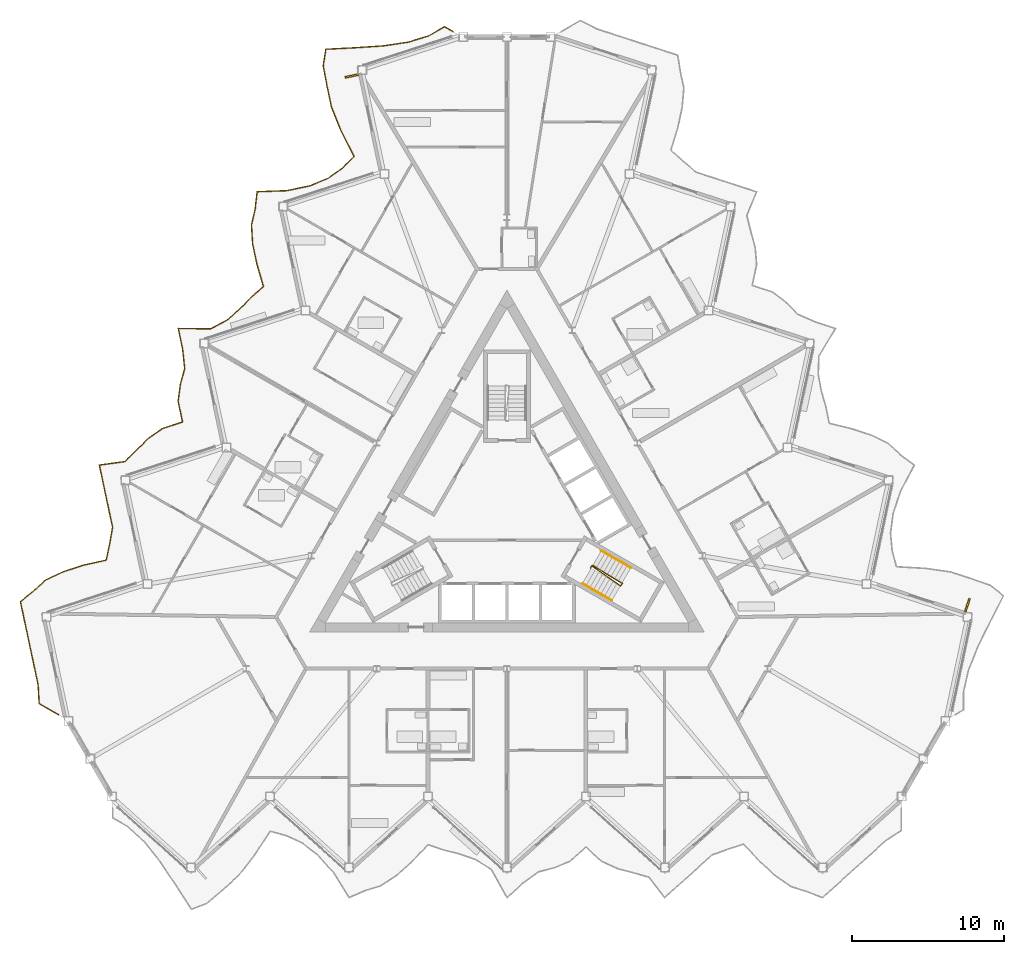
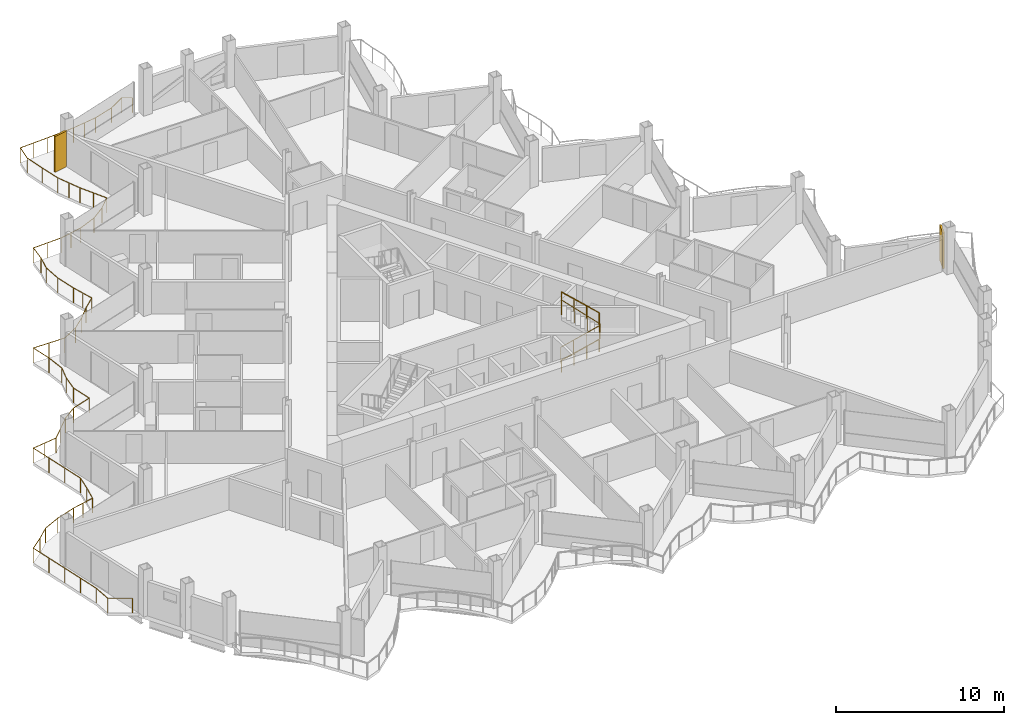
# One storey, part 23 of 26: 4 railings, 2 shading devices.
"""IFC4 building model written with IfcOpenShell, lengths in metres."""

from ifc_helpers import new_model, si_unit, direction, frame, origin, origin_2d, place, context, subcontext, project, spatial, rectangle, circle, extrude, material, layer, layer_set, type_object, element, save


model = new_model("IFC4")

# Units and contexts
model_context = context("Model", 3, precision=1e-05, world=origin(), true_north=direction((0.0, 1.0)))
body_context = subcontext(model_context, "Body", "Model", "MODEL_VIEW")
ifc_project = project(units=[si_unit("LENGTHUNIT", "METRE"), si_unit("AREAUNIT", "SQUARE_METRE"), si_unit("VOLUMEUNIT", "CUBIC_METRE"), si_unit("PLANEANGLEUNIT", "RADIAN"), si_unit("MASSUNIT", "GRAM", prefix="KILO")], contexts=[model_context])

# Site, building, storey
site_placement = place(None, origin())
site = spatial("IfcSite", under=ifc_project, at=site_placement, CompositionType="ELEMENT")
building_placement = place(site_placement, origin())
building = spatial("IfcBuilding", under=site, at=building_placement, Name="Cormorant Prow Tower", CompositionType="ELEMENT")
storey_placement = place(building_placement, frame((0.0, 0.0, 322.199951171875)))
storey = spatial("IfcBuildingStorey", under=building, at=storey_placement, Name="L71", CompositionType="ELEMENT", Elevation=322.199951171875)

# Railings
ifc_material_1 = material(Name="Aluminium 6063-T6", Category="aluminium")
railing_type_1 = type_object("IfcRailingType", Name="Balcony guard 1100", PredefinedType="GUARDRAIL", material=ifc_material_1)
railing_1_placement = place(storey_placement, frame((-3.552734375, 32.042724609375, 0.0)))
element("IfcRailing", 1, at=railing_1_placement, inside=storey, type_object=railing_type_1, Name="Balcony guard WNW", PredefinedType="GUARDRAIL", context=body_context, shape_type="SweptSolid", body=[
    extrude(circle(Radius=0.02392578125, at=origin_2d()), frame((0.0, 0.0, 1.076171875), z_axis=(-0.865942655036, 0.500143297656, 0.0), x_axis=(-0.500143297656, -0.865942655036, 0.0)), (0.0, 0.0, 1.0), 0.635986328125),
    extrude(circle(Radius=0.02392578125, at=origin_2d()), frame((-0.55078125, 0.318115234375, 1.076171875), z_axis=(-0.867592362836, -0.497276072166, 0.0), x_axis=(0.497276072166, -0.867592362836, 0.0)), (0.0, 0.0, 1.0), 1.201904296875),
    extrude(circle(Radius=0.02392578125, at=origin_2d()), frame((-1.593505859375, -0.279541015625, 1.076171875), z_axis=(-0.955146594273, -0.296133387932, 0.0), x_axis=(0.296133387932, -0.955146594273, 0.0)), (0.0, 0.0, 1.0), 1.41552734375),
    extrude(circle(Radius=0.02392578125, at=origin_2d()), frame((-2.945556640625, -0.69873046875, 1.076171875), z_axis=(-0.989266853601, -0.146120129918, 0.0), x_axis=(0.146120129918, -0.989266853601, 0.0)), (0.0, 0.0, 1.0), 1.672607421875),
    extrude(circle(Radius=0.02392578125, at=origin_2d()), frame((-4.60009765625, -0.943115234375, 1.076171875), z_axis=(-0.997771824229, -0.066718713827, 0.0), x_axis=(0.066718713827, -0.997771824229, 0.0)), (0.0, 0.0, 1.0), 1.8662109375),
    extrude(circle(Radius=0.02392578125, at=origin_2d()), frame((-6.462158203125, -1.067626953125, 1.076171875), z_axis=(-0.998756785934, -0.049848596285, 0.0), x_axis=(0.049848596285, -0.998756785934, 0.0)), (0.0, 0.0, 1.0), 1.9150390625),
    extrude(circle(Radius=0.02392578125, at=origin_2d()), frame((-8.374755859375, -1.1630859375, 1.076171875), z_axis=(-0.154330068831, -0.988019346903, 0.0), x_axis=(0.988019346903, -0.154330068831, 0.0)), (0.0, 0.0, 1.0), 1.11376953125),
    extrude(circle(Radius=0.02392578125, at=origin_2d()), frame((-8.546630859375, -2.263427734375, 1.076171875), z_axis=(0.185482522834, -0.982647563332, 0.0), x_axis=(0.982647563332, 0.185482522834, 0.0)), (0.0, 0.0, 1.0), 1.3701171875),
    extrude(circle(Radius=0.02392578125, at=origin_2d()), frame((-8.29248046875, -3.60986328125, 1.076171875), z_axis=(0.207954815096, -0.978138433392, 0.0), x_axis=(0.978138433392, 0.207954815096, 0.0)), (0.0, 0.0, 1.0), 1.398193359375),
    extrude(circle(Radius=0.02392578125, at=origin_2d()), frame((-8.001708984375, -4.9775390625, 1.076171875), z_axis=(0.372940159502, -0.927855396832, 0.0), x_axis=(0.927855396832, 0.372940159502, 0.0)), (0.0, 0.0, 1.0), 1.683837890625),
    extrude(circle(Radius=0.02392578125, at=origin_2d()), frame((-7.373779296875, -6.539794921875, 1.076171875), z_axis=(0.450609247679, -0.892721292401, 0.0), x_axis=(0.892721292401, 0.450609247679, 0.0)), (0.0, 0.0, 1.0), 1.896240234375),
    extrude(circle(Radius=0.02392578125, at=origin_2d()), frame((-6.519287109375, -8.232666015625, 1.076171875), z_axis=(-0.709370954511, -0.704835334597, 0.0), x_axis=(0.704835334597, -0.709370954511, 0.0)), (0.0, 0.0, 1.0), 1.07666015625),
    extrude(circle(Radius=0.02392578125, at=origin_2d()), frame((-7.282958984375, -8.991455078125, 1.076171875), z_axis=(-0.812908325419, -0.582391667579, 0.0), x_axis=(0.582391667579, -0.812908325419, 0.0)), (0.0, 0.0, 1.0), 1.140625),
    extrude(circle(Radius=0.02392578125, at=origin_2d()), frame((-8.210205078125, -9.65576171875, 1.076171875), z_axis=(-0.923841835791, -0.382774427624, 0.0), x_axis=(0.382774427624, -0.923841835791, 0.0)), (0.0, 0.0, 1.0), 1.309326171875),
    extrude(circle(Radius=0.02392578125, at=origin_2d()), frame((-9.419921875, -10.156982421875, 1.076171875), z_axis=(-0.978977815061, -0.20396675616, 0.0), x_axis=(0.20396675616, -0.978977815061, 0.0)), (0.0, 0.0, 1.0), 1.5595703125),
    extrude(circle(Radius=0.02392578125, at=origin_2d()), frame((-10.94677734375, -10.47509765625, 1.076171875), z_axis=(-0.999311062654, -0.037113340704, 0.0), x_axis=(0.037113340704, -0.999311062654, 0.0)), (0.0, 0.0, 1.0), 1.953857421875),
    extrude(circle(Radius=0.02392578125, at=origin_2d()), frame((-12.899169921875, -10.547607421875, 1.076171875), z_axis=(-0.110644159424, -0.993860085719, 0.0), x_axis=(0.993860085719, -0.110644159424, 0.0)), (0.0, 0.0, 1.0), 1.13427734375),
    extrude(circle(Radius=0.02392578125, at=origin_2d()), frame((-13.024658203125, -11.6748046875, 1.076171875), z_axis=(-0.225893573329, -0.974151986873, 0.0), x_axis=(0.974151986873, -0.225893573329, 0.0)), (0.0, 0.0, 1.0), 1.086181640625),
    extrude(circle(Radius=0.02392578125, at=origin_2d()), frame((-13.27001953125, -12.73291015625, 1.076171875), z_axis=(0.059262671878, -0.998242423323, 0.0), x_axis=(0.998242423323, 0.059262671878, 0.0)), (0.0, 0.0, 1.0), 1.244140625),
    extrude(circle(Radius=0.02392578125, at=origin_2d()), frame((-13.1962890625, -13.974853515625, 1.076171875), z_axis=(0.20778775162, -0.978173936617, 0.0), x_axis=(0.978173936617, 0.20778775162, 0.0)), (0.0, 0.0, 1.0), 1.398193359375),
    extrude(circle(Radius=0.02392578125, at=origin_2d()), frame((-12.90576171875, -15.342529296875, 1.076171875), z_axis=(0.281102933169, -0.959677623457, 0.0), x_axis=(0.959677623457, 0.281102933169, 0.0)), (0.0, 0.0, 1.0), 1.504150390625),
    extrude(circle(Radius=0.02392578125, at=origin_2d()), frame((-12.48291015625, -16.7861328125, 1.076171875), z_axis=(-0.750032788216, -0.661400647566, 0.0), x_axis=(0.661400647566, -0.750032788216, 0.0)), (0.0, 0.0, 1.0), 1.09619140625),
    extrude(circle(Radius=0.02392578125, at=origin_2d()), frame((-13.30517578125, -17.51123046875, 1.076171875), z_axis=(-0.693869586503, -0.72010068527, 0.0), x_axis=(0.72010068527, -0.693869586503, 0.0)), (0.0, 0.0, 1.0), 1.0703125),
    extrude(circle(Radius=0.02392578125, at=origin_2d()), frame((-14.0478515625, -18.281982421875, 1.076171875), z_axis=(-0.759115778232, -0.650955632312, 0.0), x_axis=(0.650955632312, -0.759115778232, 0.0)), (0.0, 0.0, 1.0), 1.1015625),
    extrude(circle(Radius=0.02392578125, at=origin_2d()), frame((-14.884033203125, -18.9990234375, 1.076171875), z_axis=(-0.880156171163, -0.474684225948, 0.0), x_axis=(0.474684225948, -0.880156171163, 0.0)), (0.0, 0.0, 1.0), 1.220458984375),
    extrude(circle(Radius=0.02392578125, at=origin_2d()), frame((-15.958251953125, -19.578369140625, 1.076171875), z_axis=(-0.999877393438, 0.015658802344, 0.0), x_axis=(-0.015658802344, -0.999877393438, 0.0)), (0.0, 0.0, 1.0), 2.135986328125),
    extrude(circle(Radius=0.02392578125, at=origin_2d()), frame((-18.093994140625, -19.544921875, 1.076171875), z_axis=(0.207990337228, -0.978130880619, 0.0), x_axis=(0.978130880619, 0.207990337228, 0.0)), (0.0, 0.0, 1.0), 1.39794921875),
    extrude(circle(Radius=0.02392578125, at=origin_2d()), frame((-17.80322265625, -20.912353515625, 1.076171875), z_axis=(0.107350103954, -0.994221280793, 0.0), x_axis=(0.994221280793, 0.107350103954, 0.0)), (0.0, 0.0, 1.0), 1.287109375),
    extrude(circle(Radius=0.02392578125, at=origin_2d()), frame((-17.6650390625, -22.192138671875, 1.076171875), z_axis=(-0.267620389607, -0.963524429927, 0.0), x_axis=(0.963524429927, -0.267620389607, 0.0)), (0.0, 0.0, 1.0), 1.07275390625),
    extrude(circle(Radius=0.02392578125, at=origin_2d()), frame((-17.9521484375, -23.225830078125, 1.076171875), z_axis=(-0.132078343747, -0.991239280453, 0.0), x_axis=(0.991239280453, -0.132078343747, 0.0)), (0.0, 0.0, 1.0), 1.123779296875),
    extrude(circle(Radius=0.02392578125, at=origin_2d()), frame((-18.1005859375, -24.33984375, 1.076171875), z_axis=(0.207954815096, -0.978138433392, 0.0), x_axis=(0.978138433392, 0.207954815096, 0.0)), (0.0, 0.0, 1.0), 1.398193359375),
    extrude(circle(Radius=0.02392578125, at=origin_2d()), frame((-17.809814453125, -25.70751953125, 1.076171875), z_axis=(-0.95108282544, -0.308936011422, 0.0), x_axis=(0.308936011422, -0.95108282544, 0.0)), (0.0, 0.0, 1.0), 1.39794921875),
    extrude(circle(Radius=0.02392578125, at=origin_2d()), frame((-19.139404296875, -26.139404296875, 1.076171875), z_axis=(-0.817192442339, -0.576364912347, 0.0), x_axis=(0.576364912347, -0.817192442339, 0.0)), (0.0, 0.0, 1.0), 1.14453125),
    extrude(circle(Radius=0.02392578125, at=origin_2d()), frame((-20.07470703125, -26.799072265625, 1.076171875), z_axis=(-0.704602966068, -0.7096017617, 0.0), x_axis=(0.7096017617, -0.704602966068, 0.0)), (0.0, 0.0, 1.0), 1.074462890625),
    extrude(circle(Radius=0.02392578125, at=origin_2d()), frame((-20.831787109375, -27.5615234375, 1.076171875), z_axis=(-0.716762582334, -0.697317288302, 0.0), x_axis=(0.697317288302, -0.716762582334, 0.0)), (0.0, 0.0, 1.0), 1.079833984375),
    extrude(circle(Radius=0.02392578125, at=origin_2d()), frame((-21.605712890625, -28.314453125, 1.076171875), z_axis=(-0.990944412172, -0.134272752208, 0.0), x_axis=(0.134272752208, -0.990944412172, 0.0)), (0.0, 0.0, 1.0), 1.6982421875),
    extrude(circle(Radius=0.02392578125, at=origin_2d()), frame((-23.28857421875, -28.54248046875, 1.076171875), z_axis=(0.207823247792, -0.9781663957, 0.0), x_axis=(0.9781663957, 0.207823247792, 0.0)), (0.0, 0.0, 1.0), 1.39794921875),
    extrude(circle(Radius=0.02392578125, at=origin_2d()), frame((-22.998046875, -29.909912109375, 1.076171875), z_axis=(0.207990337228, -0.978130880619, 0.0), x_axis=(0.978130880619, 0.207990337228, 0.0)), (0.0, 0.0, 1.0), 1.39794921875),
    extrude(circle(Radius=0.02392578125, at=origin_2d()), frame((-22.707275390625, -31.27734375, 1.076171875), z_axis=(0.20778775162, -0.978173936617, 0.0), x_axis=(0.978173936617, 0.20778775162, 0.0)), (0.0, 0.0, 1.0), 1.398193359375),
    extrude(circle(Radius=0.02392578125, at=origin_2d()), frame((-22.416748046875, -32.64501953125, 1.076171875), z_axis=(-0.171695073969, -0.985150141641, 0.0), x_axis=(0.985150141641, -0.171695073969, 0.0)), (0.0, 0.0, 1.0), 1.106201171875),
    extrude(circle(Radius=0.02392578125, at=origin_2d()), frame((-22.606689453125, -33.73486328125, 1.076171875), z_axis=(-0.210720517244, -0.977546348575, 0.0), x_axis=(0.977546348575, -0.210720517244, 0.0)), (0.0, 0.0, 1.0), 1.09130859375),
    extrude(circle(Radius=0.02392578125, at=origin_2d()), frame((-22.836669921875, -34.8017578125, 1.076171875), z_axis=(-0.975845165499, -0.218463298913, 0.0), x_axis=(0.218463298913, -0.975845165499, 0.0)), (0.0, 0.0, 1.0), 1.534423828125),
    extrude(circle(Radius=0.02392578125, at=origin_2d()), frame((-24.333984375, -35.136962890625, 1.076171875), z_axis=(-0.95108282544, -0.308936011422, 0.0), x_axis=(0.308936011422, -0.95108282544, 0.0)), (0.0, 0.0, 1.0), 1.39794921875),
    extrude(circle(Radius=0.02392578125, at=origin_2d()), frame((-25.66357421875, -35.56884765625, 1.076171875), z_axis=(-0.906546522167, -0.422105914608, 0.0), x_axis=(0.422105914608, -0.906546522167, 0.0)), (0.0, 0.0, 1.0), 1.26904296875),
    extrude(circle(Radius=0.02392578125, at=origin_2d()), frame((-26.81396484375, -36.1044921875, 1.076171875), z_axis=(-0.738732761522, -0.673998447368, 0.0), x_axis=(0.673998447368, -0.738732761522, 0.0)), (0.0, 0.0, 1.0), 1.08984375),
    extrude(circle(Radius=0.02392578125, at=origin_2d()), frame((-27.619140625, -36.839111328125, 1.076171875), z_axis=(-0.776677419961, -0.629898551612, 0.0), x_axis=(0.629898551612, -0.776677419961, 0.0)), (0.0, 0.0, 1.0), 1.11279296875),
    extrude(circle(Radius=0.02392578125, at=origin_2d()), frame((-28.4833984375, -37.5400390625, 1.076171875), z_axis=(0.207823247792, -0.9781663957, 0.0), x_axis=(0.9781663957, 0.207823247792, 0.0)), (0.0, 0.0, 1.0), 1.39794921875),
    extrude(circle(Radius=0.02392578125, at=origin_2d()), frame((-28.19287109375, -38.907470703125, 1.076171875), z_axis=(0.207990337228, -0.978130880619, 0.0), x_axis=(0.978130880619, 0.207990337228, 0.0)), (0.0, 0.0, 1.0), 1.39794921875),
    extrude(circle(Radius=0.02392578125, at=origin_2d()), frame((-27.902099609375, -40.27490234375, 1.076171875), z_axis=(0.207990337228, -0.978130880619, 0.0), x_axis=(0.978130880619, 0.207990337228, 0.0)), (0.0, 0.0, 1.0), 1.39794921875),
    extrude(circle(Radius=0.02392578125, at=origin_2d()), frame((-27.611328125, -41.642333984375, 1.076171875), z_axis=(0.207954815096, -0.978138433392, 0.0), x_axis=(0.978138433392, 0.207954815096, 0.0)), (0.0, 0.0, 1.0), 1.398193359375),
    extrude(circle(Radius=0.02392578125, at=origin_2d()), frame((-27.320556640625, -43.010009765625, 1.076171875), z_axis=(0.058307709242, -0.99829865824, 0.0), x_axis=(0.99829865824, 0.058307709242, 0.0)), (0.0, 0.0, 1.0), 1.24365234375),
    extrude(circle(Radius=0.02392578125, at=origin_2d()), frame((-27.248046875, -44.25146484375, 1.076171875), z_axis=(0.866050237424, -0.499956984408, 0.0), x_axis=(0.499956984408, 0.866050237424, 0.0)), (0.0, 0.0, 1.0), 1.471923828125),
    extrude(circle(Radius=0.02099609375, at=origin_2d()), origin(), (0.0, 0.0, 1.0), 1.052001953125),
    extrude(circle(Radius=0.02099609375, at=origin_2d()), frame((-0.55078125, 0.318115234375, 0.0)), (0.0, 0.0, 1.0), 1.052001953125),
    extrude(circle(Radius=0.02099609375, at=origin_2d()), frame((-1.593505859375, -0.279541015625, 0.0)), (0.0, 0.0, 1.0), 1.052001953125),
    extrude(circle(Radius=0.02099609375, at=origin_2d()), frame((-2.945556640625, -0.69873046875, 0.0)), (0.0, 0.0, 1.0), 1.052001953125),
    extrude(circle(Radius=0.02099609375, at=origin_2d()), frame((-3.77294921875, -0.82080078125, 0.0)), (0.0, 0.0, 1.0), 1.052001953125),
    extrude(circle(Radius=0.02099609375, at=origin_2d()), frame((-4.60009765625, -0.943115234375, 0.0)), (0.0, 0.0, 1.0), 1.052001953125),
    extrude(circle(Radius=0.02099609375, at=origin_2d()), frame((-5.53125, -1.00537109375, 0.0)), (0.0, 0.0, 1.0), 1.052001953125),
    extrude(circle(Radius=0.02099609375, at=origin_2d()), frame((-6.462158203125, -1.067626953125, 0.0)), (0.0, 0.0, 1.0), 1.052001953125),
    extrude(circle(Radius=0.02099609375, at=origin_2d()), frame((-7.41845703125, -1.115234375, 0.0)), (0.0, 0.0, 1.0), 1.052001953125),
    extrude(circle(Radius=0.02099609375, at=origin_2d()), frame((-8.374755859375, -1.1630859375, 0.0)), (0.0, 0.0, 1.0), 1.052001953125),
    extrude(circle(Radius=0.02099609375, at=origin_2d()), frame((-8.546630859375, -2.263427734375, 0.0)), (0.0, 0.0, 1.0), 1.052001953125),
    extrude(circle(Radius=0.02099609375, at=origin_2d()), frame((-8.29248046875, -3.60986328125, 0.0)), (0.0, 0.0, 1.0), 1.052001953125),
    extrude(circle(Radius=0.02099609375, at=origin_2d()), frame((-8.001708984375, -4.9775390625, 0.0)), (0.0, 0.0, 1.0), 1.052001953125),
    extrude(circle(Radius=0.02099609375, at=origin_2d()), frame((-7.687744140625, -5.7587890625, 0.0)), (0.0, 0.0, 1.0), 1.052001953125),
    extrude(circle(Radius=0.02099609375, at=origin_2d()), frame((-7.373779296875, -6.539794921875, 0.0)), (0.0, 0.0, 1.0), 1.052001953125),
    extrude(circle(Radius=0.02099609375, at=origin_2d()), frame((-6.946533203125, -7.38623046875, 0.0)), (0.0, 0.0, 1.0), 1.052001953125),
    extrude(circle(Radius=0.02099609375, at=origin_2d()), frame((-6.519287109375, -8.232666015625, 0.0)), (0.0, 0.0, 1.0), 1.052001953125),
    extrude(circle(Radius=0.02099609375, at=origin_2d()), frame((-7.282958984375, -8.991455078125, 0.0)), (0.0, 0.0, 1.0), 1.052001953125),
    extrude(circle(Radius=0.02099609375, at=origin_2d()), frame((-8.210205078125, -9.65576171875, 0.0)), (0.0, 0.0, 1.0), 1.052001953125),
    extrude(circle(Radius=0.02099609375, at=origin_2d()), frame((-9.419921875, -10.156982421875, 0.0)), (0.0, 0.0, 1.0), 1.052001953125),
    extrude(circle(Radius=0.02099609375, at=origin_2d()), frame((-10.183349609375, -10.31591796875, 0.0)), (0.0, 0.0, 1.0), 1.052001953125),
    extrude(circle(Radius=0.02099609375, at=origin_2d()), frame((-10.94677734375, -10.47509765625, 0.0)), (0.0, 0.0, 1.0), 1.052001953125),
    extrude(circle(Radius=0.02099609375, at=origin_2d()), frame((-11.9228515625, -10.51123046875, 0.0)), (0.0, 0.0, 1.0), 1.052001953125),
    extrude(circle(Radius=0.02099609375, at=origin_2d()), frame((-12.899169921875, -10.547607421875, 0.0)), (0.0, 0.0, 1.0), 1.052001953125),
    extrude(circle(Radius=0.02099609375, at=origin_2d()), frame((-13.024658203125, -11.6748046875, 0.0)), (0.0, 0.0, 1.0), 1.052001953125),
    extrude(circle(Radius=0.02099609375, at=origin_2d()), frame((-13.27001953125, -12.73291015625, 0.0)), (0.0, 0.0, 1.0), 1.052001953125),
    extrude(circle(Radius=0.02099609375, at=origin_2d()), frame((-13.1962890625, -13.974853515625, 0.0)), (0.0, 0.0, 1.0), 1.052001953125),
    extrude(circle(Radius=0.02099609375, at=origin_2d()), frame((-12.90576171875, -15.342529296875, 0.0)), (0.0, 0.0, 1.0), 1.052001953125),
    extrude(circle(Radius=0.02099609375, at=origin_2d()), frame((-12.6943359375, -16.064453125, 0.0)), (0.0, 0.0, 1.0), 1.052001953125),
    extrude(circle(Radius=0.02099609375, at=origin_2d()), frame((-12.48291015625, -16.7861328125, 0.0)), (0.0, 0.0, 1.0), 1.052001953125),
    extrude(circle(Radius=0.02099609375, at=origin_2d()), frame((-13.30517578125, -17.51123046875, 0.0)), (0.0, 0.0, 1.0), 1.052001953125),
    extrude(circle(Radius=0.02099609375, at=origin_2d()), frame((-14.0478515625, -18.281982421875, 0.0)), (0.0, 0.0, 1.0), 1.052001953125),
    extrude(circle(Radius=0.02099609375, at=origin_2d()), frame((-14.884033203125, -18.9990234375, 0.0)), (0.0, 0.0, 1.0), 1.052001953125),
    extrude(circle(Radius=0.02099609375, at=origin_2d()), frame((-15.958251953125, -19.578369140625, 0.0)), (0.0, 0.0, 1.0), 1.052001953125),
    extrude(circle(Radius=0.02099609375, at=origin_2d()), frame((-17.026123046875, -19.5615234375, 0.0)), (0.0, 0.0, 1.0), 1.052001953125),
    extrude(circle(Radius=0.02099609375, at=origin_2d()), frame((-18.093994140625, -19.544921875, 0.0)), (0.0, 0.0, 1.0), 1.052001953125),
    extrude(circle(Radius=0.02099609375, at=origin_2d()), frame((-17.80322265625, -20.912353515625, 0.0)), (0.0, 0.0, 1.0), 1.052001953125),
    extrude(circle(Radius=0.02099609375, at=origin_2d()), frame((-17.6650390625, -22.192138671875, 0.0)), (0.0, 0.0, 1.0), 1.052001953125),
    extrude(circle(Radius=0.02099609375, at=origin_2d()), frame((-17.9521484375, -23.225830078125, 0.0)), (0.0, 0.0, 1.0), 1.052001953125),
    extrude(circle(Radius=0.02099609375, at=origin_2d()), frame((-18.1005859375, -24.33984375, 0.0)), (0.0, 0.0, 1.0), 1.052001953125),
    extrude(circle(Radius=0.02099609375, at=origin_2d()), frame((-17.809814453125, -25.70751953125, 0.0)), (0.0, 0.0, 1.0), 1.052001953125),
    extrude(circle(Radius=0.02099609375, at=origin_2d()), frame((-19.139404296875, -26.139404296875, 0.0)), (0.0, 0.0, 1.0), 1.052001953125),
    extrude(circle(Radius=0.02099609375, at=origin_2d()), frame((-20.07470703125, -26.799072265625, 0.0)), (0.0, 0.0, 1.0), 1.052001953125),
    extrude(circle(Radius=0.02099609375, at=origin_2d()), frame((-20.831787109375, -27.5615234375, 0.0)), (0.0, 0.0, 1.0), 1.052001953125),
    extrude(circle(Radius=0.02099609375, at=origin_2d()), frame((-21.605712890625, -28.314453125, 0.0)), (0.0, 0.0, 1.0), 1.052001953125),
    extrude(circle(Radius=0.02099609375, at=origin_2d()), frame((-22.447265625, -28.428466796875, 0.0)), (0.0, 0.0, 1.0), 1.052001953125),
    extrude(circle(Radius=0.02099609375, at=origin_2d()), frame((-23.28857421875, -28.54248046875, 0.0)), (0.0, 0.0, 1.0), 1.052001953125),
    extrude(circle(Radius=0.02099609375, at=origin_2d()), frame((-22.998046875, -29.909912109375, 0.0)), (0.0, 0.0, 1.0), 1.052001953125),
    extrude(circle(Radius=0.02099609375, at=origin_2d()), frame((-22.707275390625, -31.27734375, 0.0)), (0.0, 0.0, 1.0), 1.052001953125),
    extrude(circle(Radius=0.02099609375, at=origin_2d()), frame((-22.416748046875, -32.64501953125, 0.0)), (0.0, 0.0, 1.0), 1.052001953125),
    extrude(circle(Radius=0.02099609375, at=origin_2d()), frame((-22.606689453125, -33.73486328125, 0.0)), (0.0, 0.0, 1.0), 1.052001953125),
    extrude(circle(Radius=0.02099609375, at=origin_2d()), frame((-22.836669921875, -34.8017578125, 0.0)), (0.0, 0.0, 1.0), 1.052001953125),
    extrude(circle(Radius=0.02099609375, at=origin_2d()), frame((-23.58544921875, -34.96923828125, 0.0)), (0.0, 0.0, 1.0), 1.052001953125),
    extrude(circle(Radius=0.02099609375, at=origin_2d()), frame((-24.333984375, -35.136962890625, 0.0)), (0.0, 0.0, 1.0), 1.052001953125),
    extrude(circle(Radius=0.02099609375, at=origin_2d()), frame((-25.66357421875, -35.56884765625, 0.0)), (0.0, 0.0, 1.0), 1.052001953125),
    extrude(circle(Radius=0.02099609375, at=origin_2d()), frame((-26.81396484375, -36.1044921875, 0.0)), (0.0, 0.0, 1.0), 1.052001953125),
    extrude(circle(Radius=0.02099609375, at=origin_2d()), frame((-27.619140625, -36.839111328125, 0.0)), (0.0, 0.0, 1.0), 1.052001953125),
    extrude(circle(Radius=0.02099609375, at=origin_2d()), frame((-28.4833984375, -37.5400390625, 0.0)), (0.0, 0.0, 1.0), 1.052001953125),
    extrude(circle(Radius=0.02099609375, at=origin_2d()), frame((-28.19287109375, -38.907470703125, 0.0)), (0.0, 0.0, 1.0), 1.052001953125),
    extrude(circle(Radius=0.02099609375, at=origin_2d()), frame((-27.902099609375, -40.27490234375, 0.0)), (0.0, 0.0, 1.0), 1.052001953125),
    extrude(circle(Radius=0.02099609375, at=origin_2d()), frame((-27.611328125, -41.642333984375, 0.0)), (0.0, 0.0, 1.0), 1.052001953125),
    extrude(circle(Radius=0.02099609375, at=origin_2d()), frame((-27.320556640625, -43.010009765625, 0.0)), (0.0, 0.0, 1.0), 1.052001953125),
    extrude(circle(Radius=0.02099609375, at=origin_2d()), frame((-27.248046875, -44.25146484375, 0.0)), (0.0, 0.0, 1.0), 1.052001953125),
    extrude(circle(Radius=0.02099609375, at=origin_2d()), frame((-25.973388671875, -44.9873046875, 0.0)), (0.0, 0.0, 1.0), 1.052001953125),
])
ifc_material_2 = material(Name="Stainless steel", Category="steel")
railing_type_2 = type_object("IfcRailingType", Name="Stair guard 1100", PredefinedType="GUARDRAIL", material=ifc_material_2)
railing_2_placement = place(storey_placement, frame((5.510009765625, -3.267822265625, 0.0)))
element("IfcRailing", 2, at=railing_2_placement, inside=storey, type_object=railing_type_2, Name="L71 ST2 stair guard 1", PredefinedType="GUARDRAIL", context=body_context, shape_type="SweptSolid", body=[
    extrude(circle(Radius=0.02392578125, at=origin_2d()), frame((0.0, 0.0, 1.076171875), z_axis=(0.501036270542, 0.865426285481, 0.0), x_axis=(-0.865426285481, 0.501036270542, 0.0)), (0.0, 0.0, 1.0), 0.150146484375),
    extrude(circle(Radius=0.02392578125, at=origin_2d()), frame((0.0751953125, 0.1298828125, 1.076171875), z_axis=(0.658670593711, -0.461060875852, 0.594622500196), x_axis=(0.573455215813, 0.819236910458, 0.0)), (0.0, 0.0, 1.0), 2.85888671875),
    extrude(circle(Radius=0.02392578125, at=origin_2d()), frame((1.958251953125, -1.188232421875, 2.77587890625), z_axis=(0.695164929852, 0.718850276695, 0.0), x_axis=(-0.718850276695, 0.695164929852, 0.0)), (0.0, 0.0, 1.0), 0.2060546875),
    extrude(circle(Radius=0.02392578125, at=origin_2d()), frame((2.1015625, -1.0400390625, 2.77587890625), z_axis=(-0.686480346808, 0.416544052851, 0.596016598326), x_axis=(-0.518752825935, -0.854924268918, 0.0)), (0.0, 0.0, 1.0), 2.8525390625),
    extrude(circle(Radius=0.02099609375, at=origin_2d()), origin(), (0.0, 0.0, 1.0), 1.052001953125),
    extrude(circle(Radius=0.02099609375, at=origin_2d()), frame((0.0751953125, 0.1298828125, 0.0)), (0.0, 0.0, 1.0), 1.052001953125),
    extrude(circle(Radius=0.02099609375, at=origin_2d()), frame((0.702880859375, -0.3095703125, 0.566650390625)), (0.0, 0.0, 1.0), 1.052001953125),
    extrude(circle(Radius=0.02099609375, at=origin_2d()), frame((1.33056640625, -0.748779296875, 1.13330078125)), (0.0, 0.0, 1.0), 1.052001953125),
    extrude(circle(Radius=0.02099609375, at=origin_2d()), frame((1.958251953125, -1.188232421875, 1.699951171875)), (0.0, 0.0, 1.0), 1.052001953125),
    extrude(circle(Radius=0.02099609375, at=origin_2d()), frame((2.1015625, -1.0400390625, 1.699951171875)), (0.0, 0.0, 1.0), 1.052001953125),
    extrude(circle(Radius=0.02099609375, at=origin_2d()), frame((1.44873046875, -0.64404296875, 2.2666015625)), (0.0, 0.0, 1.0), 1.052001953125),
    extrude(circle(Radius=0.02099609375, at=origin_2d()), frame((0.796142578125, -0.247802734375, 2.83349609375)), (0.0, 0.0, 1.0), 1.052001953125),
    extrude(circle(Radius=0.02099609375, at=origin_2d()), frame((0.143310546875, 0.148193359375, 3.400146484375)), (0.0, 0.0, 1.0), 1.052001953125),
])
ifc_material_3 = material(Name="Stainless steel", Category="steel")
railing_type_3 = type_object("IfcRailingType", Name="Stair handrail 900", PredefinedType="HANDRAIL", material=ifc_material_3)
railing_3_placement = place(storey_placement, frame((4.968994140625, -4.30517578125, 0.18896484375)))
element("IfcRailing", 3, at=railing_3_placement, inside=storey, type_object=railing_type_3, Name="L71 ST2 stair handrail 1", PredefinedType="HANDRAIL", context=body_context, shape_type="SweptSolid", body=[
    extrude(circle(Radius=0.02392578125, at=origin_2d()), frame((0.0, 0.0, 0.8759765625), z_axis=(0.71790592183, -0.414569209485, 0.559234707389), x_axis=(0.500077830873, 0.865980463445, 0.0)), (0.0, 0.0, 1.0), 2.701904296875),
    extrude(circle(Radius=0.02099609375, at=origin_2d()), origin(), (0.0, 0.0, 1.0), 0.851806640625),
    extrude(circle(Radius=0.02099609375, at=origin_2d()), frame((0.646484375, -0.373291015625, 0.503662109375)), (0.0, 0.0, 1.0), 0.851806640625),
    extrude(circle(Radius=0.02099609375, at=origin_2d()), frame((1.293212890625, -0.746826171875, 1.00732421875)), (0.0, 0.0, 1.0), 0.851806640625),
    extrude(circle(Radius=0.02099609375, at=origin_2d()), frame((1.939697265625, -1.1201171875, 1.510986328125)), (0.0, 0.0, 1.0), 0.851806640625),
])
railing_4_placement = place(storey_placement, frame((8.15283203125, -3.2705078125, 1.888916015625)))
element("IfcRailing", 4, at=railing_4_placement, inside=storey, type_object=railing_type_3, Name="L71 ST2 stair handrail 2", PredefinedType="HANDRAIL", context=body_context, shape_type="SweptSolid", body=[
    extrude(circle(Radius=0.02392578125, at=origin_2d()), frame((0.0, 0.0, 0.8759765625), z_axis=(-0.717940317343, 0.414446543626, 0.55928147047), x_axis=(-0.49994888933, -0.866054910533, 0.0)), (0.0, 0.0, 1.0), 2.7021484375),
    extrude(circle(Radius=0.02099609375, at=origin_2d()), origin(), (0.0, 0.0, 1.0), 0.851806640625),
    extrude(circle(Radius=0.02099609375, at=origin_2d()), frame((-0.646728515625, 0.373291015625, 0.503662109375)), (0.0, 0.0, 1.0), 0.851806640625),
    extrude(circle(Radius=0.02099609375, at=origin_2d()), frame((-1.293212890625, 0.74658203125, 1.007568359375)), (0.0, 0.0, 1.0), 0.851806640625),
    extrude(circle(Radius=0.02099609375, at=origin_2d()), frame((-1.93994140625, 1.119873046875, 1.51123046875)), (0.0, 0.0, 1.0), 0.851806640625),
])

# Shading devices
ifc_material_4 = material(Name="Terracotta", Category="masonry")
ifc_layer = layer(ifc_material_4, 0.1201171875)
ifc_layer_set = layer_set([ifc_layer], Name="Terracotta")
shading_device_type = type_object("IfcShadingDeviceType", Name="Terracotta baguette fin 120x900x2600", PredefinedType="USERDEFINED", material=ifc_layer_set)
for number, where, z_axis, x_axis, name in (
    (5, (30.31982421875, -5.716552734375, 0.0), (0.0, 0.0, 1.0), (-0.951056507348, 0.309017021913, 0.0), "Baguette fin ENE01"),
    (6, (-10.209228515625, 29.115966796875, 0.0), (0.0, 0.0, 1.0), (0.207911662, -0.978147606859, 0.0), "Baguette fin WNW01"),
):
    element("IfcShadingDevice", number, at=place(storey_placement, frame(where, z_axis=z_axis, x_axis=x_axis)), inside=storey, type_object=shading_device_type, Name=name, ObjectType="BAGUETTE", PredefinedType="USERDEFINED", context=body_context, shape_type="SweptSolid", body=[
        extrude(rectangle(XDim=0.1201171875, YDim=0.89990234375, at=origin_2d()), origin(), (0.0, 0.0, 1.0), 2.60009765625),
    ])

save(model, "model.ifc")
